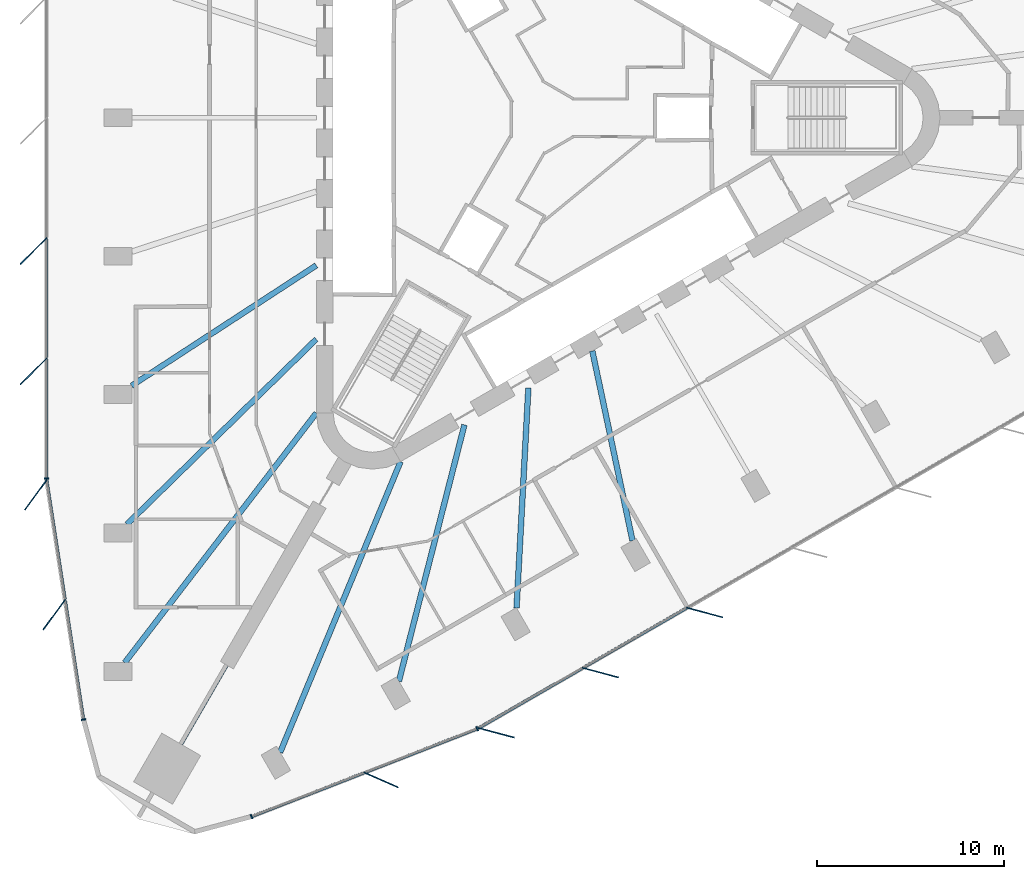
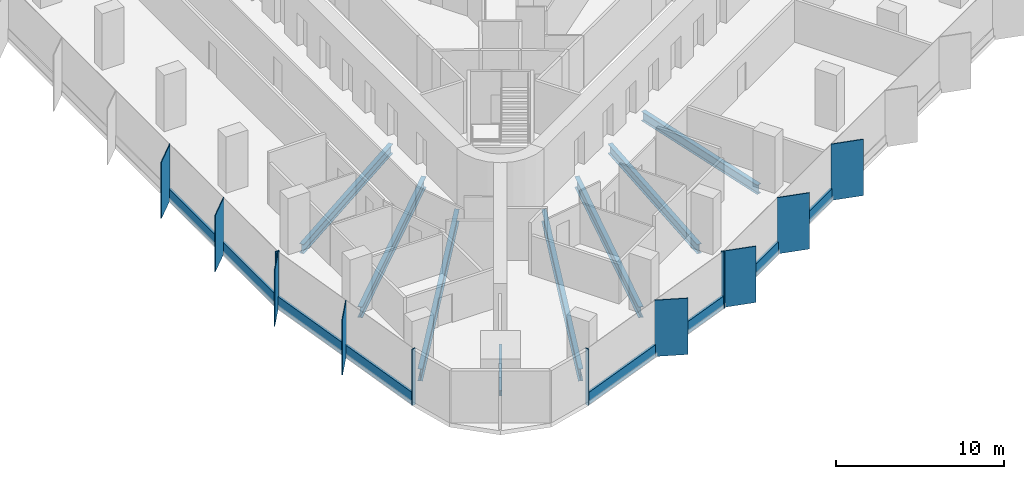
# One storey, part 2 of 15: 20 members, 8 beams, 4 elements without a shape of their own.
"""IFC4 building model written with IfcOpenShell, lengths in metres."""

from ifc_helpers import new_model, si_unit, direction, frame, origin, origin_2d, place, context, subcontext, project, spatial, rectangle, i_section, extrude, material, material_profile, profile_set, type_object, element, aggregate, save


model = new_model("IFC4")

# Units and contexts
model_context = context("Model", 3, precision=1e-05, world=origin(), true_north=direction((0.0, 1.0)))
body_context = subcontext(model_context, "Body", "Model", "MODEL_VIEW")
ifc_project = project(units=[si_unit("LENGTHUNIT", "METRE"), si_unit("AREAUNIT", "SQUARE_METRE"), si_unit("VOLUMEUNIT", "CUBIC_METRE"), si_unit("PLANEANGLEUNIT", "RADIAN"), si_unit("MASSUNIT", "GRAM", prefix="KILO")], contexts=[model_context])

# Site, building, storey
site_placement = place(None, origin())
site = spatial("IfcSite", under=ifc_project, at=site_placement, CompositionType="ELEMENT")
building_placement = place(site_placement, origin())
building = spatial("IfcBuilding", under=site, at=building_placement, Name="Tanit Gate Tower", CompositionType="ELEMENT")
storey_placement = place(building_placement, frame((0.0, 0.0, 135.699951171875)))
storey = spatial("IfcBuildingStorey", under=building, at=storey_placement, Name="L29", CompositionType="ELEMENT", Elevation=135.699951171875)

# Curtain wall, members
ifc_material_1 = material(Name="Aluminium bronze anodised and glass", Category="aluminium")
curtain_wall_type = type_object("IfcCurtainWallType", Name="Curtain wall typical low", PredefinedType="NOTDEFINED", material=ifc_material_1)
curtain_wall_1_placement = place(storey_placement, origin())
curtain_wall_1 = element("IfcCurtainWall", 1, at=curtain_wall_1_placement, inside=storey, type_object=curtain_wall_type, Name="Curtain wall L29 W2", PredefinedType="NOTDEFINED")
ifc_material_2 = material(Name="Aluminium bronze anodised", Category="aluminium")
ifc_material_profile_1 = material_profile(ifc_material_2, rectangle(XDim=2.0, YDim=0.055908203125, at=origin_2d()), Name="56x2000 bronze fin mullion")
ifc_profile_set_1 = profile_set([ifc_material_profile_1], Name="Aluminium bronze anodised")
member_type_1 = type_object("IfcMemberType", Name="FIN MULLION 56x2000 bronze", PredefinedType="MULLION", material=ifc_profile_set_1)
member_1_placement = place(storey_placement, frame((-27.19189453125, -7.11328125, -0.300048828125), z_axis=(0.0, 0.0, 1.0), x_axis=(0.707155809403, 0.707057749571, 0.0)))
member_1 = element("IfcMember", 2, at=member_1_placement, type_object=member_type_1, Name="Fin mullion L29 W2.5", PredefinedType="MULLION", context=body_context, shape_type="SweptSolid", body=[
    extrude(rectangle(XDim=2.0, YDim=0.055908203125, at=origin_2d()), origin(), (0.0, 0.0, 1.0), 4.10009765625),
])
member_2_placement = place(storey_placement, frame((-27.1923828125, -13.535400390625, -0.300048828125), z_axis=(0.0, 0.0, 1.0), x_axis=(0.707155809403, 0.707057749571, 0.0)))
member_2 = element("IfcMember", 3, at=member_2_placement, type_object=member_type_1, Name="Fin mullion L29 W2.6", PredefinedType="MULLION", context=body_context, shape_type="SweptSolid", body=[
    extrude(rectangle(XDim=2.0, YDim=0.055908203125, at=origin_2d()), origin(), (0.0, 0.0, 1.0), 4.10009765625),
])

curtain_wall_2_placement = place(storey_placement, origin())
curtain_wall_2 = element("IfcCurtainWall", 4, at=curtain_wall_2_placement, inside=storey, type_object=curtain_wall_type, Name="Curtain wall L29 W3", PredefinedType="NOTDEFINED")
member_3_placement = place(storey_placement, frame((-27.07373046875, -20.134033203125, -0.300048828125), z_axis=(0.0, 0.0, 1.0), x_axis=(0.591404079299, 0.806375356139, 0.0)))
member_3 = element("IfcMember", 5, at=member_3_placement, type_object=member_type_1, Name="Fin mullion L29 W3.1", PredefinedType="MULLION", context=body_context, shape_type="SweptSolid", body=[
    extrude(rectangle(XDim=2.0, YDim=0.055908203125, at=origin_2d()), origin(), (0.0, 0.0, 1.0), 4.10009765625),
])
member_4_placement = place(storey_placement, frame((-26.0908203125, -26.525390625, -0.300048828125), z_axis=(0.0, 0.0, 1.0), x_axis=(0.591404079299, 0.806375356139, 0.0)))
member_4 = element("IfcMember", 6, at=member_4_placement, type_object=member_type_1, Name="Fin mullion L29 W3.2", PredefinedType="MULLION", context=body_context, shape_type="SweptSolid", body=[
    extrude(rectangle(XDim=2.0, YDim=0.055908203125, at=origin_2d()), origin(), (0.0, 0.0, 1.0), 4.10009765625),
])

# Curtain wall, member
curtain_wall_3_placement = place(storey_placement, origin())
curtain_wall_3 = element("IfcCurtainWall", 7, at=curtain_wall_3_placement, inside=storey, type_object=curtain_wall_type, Name="Curtain wall L29 SE1", PredefinedType="NOTDEFINED")
member_5_placement = place(storey_placement, frame((-8.638671875, -35.35546875, -0.300048828125), z_axis=(0.0, 0.0, 1.0), x_axis=(-0.915440438595, 0.402453479778, 0.0)))
member_5 = element("IfcMember", 8, at=member_5_placement, type_object=member_type_1, Name="Fin mullion L29 SE1.2", PredefinedType="MULLION", context=body_context, shape_type="SweptSolid", body=[
    extrude(rectangle(XDim=2.0, YDim=0.055908203125, at=origin_2d()), origin(), (0.0, 0.0, 1.0), 4.10009765625),
])

# Curtain wall, members
curtain_wall_4_placement = place(storey_placement, origin())
curtain_wall_4 = element("IfcCurtainWall", 9, at=curtain_wall_4_placement, inside=storey, type_object=curtain_wall_type, Name="Curtain wall L29 SE2", PredefinedType="NOTDEFINED")
member_6_placement = place(storey_placement, frame((-2.49169921875, -32.835205078125, -0.300048828125), z_axis=(0.0, 0.0, 1.0), x_axis=(-0.965907877772, 0.258886020591, 0.0)))
member_6 = element("IfcMember", 10, at=member_6_placement, type_object=member_type_1, Name="Fin mullion L29 SE2.1", PredefinedType="MULLION", context=body_context, shape_type="SweptSolid", body=[
    extrude(rectangle(XDim=2.0, YDim=0.055908203125, at=origin_2d()), origin(), (0.0, 0.0, 1.0), 4.10009765625),
])
member_7_placement = place(storey_placement, frame((3.0703125, -29.62451171875, -0.300048828125), z_axis=(0.0, 0.0, 1.0), x_axis=(-0.965907877772, 0.258886020591, 0.0)))
member_7 = element("IfcMember", 11, at=member_7_placement, type_object=member_type_1, Name="Fin mullion L29 SE2.2", PredefinedType="MULLION", context=body_context, shape_type="SweptSolid", body=[
    extrude(rectangle(XDim=2.0, YDim=0.055908203125, at=origin_2d()), origin(), (0.0, 0.0, 1.0), 4.10009765625),
])
member_8_placement = place(storey_placement, frame((8.63232421875, -26.413818359375, -0.300048828125), z_axis=(0.0, 0.0, 1.0), x_axis=(-0.965907877772, 0.258886020591, 0.0)))
member_8 = element("IfcMember", 12, at=member_8_placement, type_object=member_type_1, Name="Fin mullion L29 SE2.3", PredefinedType="MULLION", context=body_context, shape_type="SweptSolid", body=[
    extrude(rectangle(XDim=2.0, YDim=0.055908203125, at=origin_2d()), origin(), (0.0, 0.0, 1.0), 4.10009765625),
])

# Member
ifc_material_3 = material(Name="Aluminium bronze anodised", Category="aluminium")
ifc_material_profile_2 = material_profile(ifc_material_3, rectangle(XDim=0.239990234375, YDim=0.080078125, at=origin_2d()), Name="80x240 bronze mullion")
ifc_profile_set_2 = profile_set([ifc_material_profile_2], Name="Aluminium bronze anodised")
member_type_2 = type_object("IfcMemberType", Name="Mullion 80x240 typical low", PredefinedType="MULLION", material=ifc_profile_set_2)
member_9_placement = place(storey_placement, frame((-26.501708984375, -19.2666015625, -0.300048828125), z_axis=(0.0, 0.0, 1.0), x_axis=(0.999999997596, -6.9338772e-05, 0.0)))
member_9 = element("IfcMember", 13, at=member_9_placement, type_object=member_type_2, Name="Mullion L29 W2.7", PredefinedType="MULLION", context=body_context, shape_type="SweptSolid", body=[
    extrude(rectangle(XDim=0.239990234375, YDim=0.080078125, at=origin_2d()), origin(), (0.0, 0.0, 1.0), 4.10009765625),
])

member_10_placement = place(storey_placement, frame((-24.52978515625, -32.12841796875, -0.300048828125), z_axis=(0.0, 0.0, 1.0), x_axis=(0.988379317401, 0.152007647614, 0.0)))
member_10 = element("IfcMember", 14, at=member_10_placement, type_object=member_type_2, Name="Mullion L29 W3.3", PredefinedType="MULLION", context=body_context, shape_type="SweptSolid", body=[
    extrude(rectangle(XDim=0.239990234375, YDim=0.080078125, at=origin_2d()), origin(), (0.0, 0.0, 1.0), 4.10009765625),
])

member_11_placement = place(storey_placement, frame((-15.559326171875, -37.3076171875, -0.300048828125), z_axis=(0.0, 0.0, 1.0), x_axis=(-0.36273655724, 0.931891726566, 0.0)))
member_11 = element("IfcMember", 15, at=member_11_placement, type_object=member_type_2, Name="Mullion L29 SE1.1", PredefinedType="MULLION", context=body_context, shape_type="SweptSolid", body=[
    extrude(rectangle(XDim=0.239990234375, YDim=0.080078125, at=origin_2d()), origin(), (0.0, 0.0, 1.0), 4.10009765625),
])

member_12_placement = place(storey_placement, frame((-3.507568359375, -32.61669921875, -0.300048828125), z_axis=(0.0, 0.0, 1.0), x_axis=(-0.36273655724, 0.931891726566, 0.0)))
member_12 = element("IfcMember", 16, at=member_12_placement, type_object=member_type_2, Name="Mullion L29 SE1.3", PredefinedType="MULLION", context=body_context, shape_type="SweptSolid", body=[
    extrude(rectangle(XDim=0.239990234375, YDim=0.080078125, at=origin_2d()), origin(), (0.0, 0.0, 1.0), 4.10009765625),
])

# Beams
ifc_material_4 = material(Name="Steel S355", Category="steel")
ifc_material_profile_3 = material_profile(ifc_material_4, i_section(OverallWidth=0.300048828125, OverallDepth=0.68994140625, WebThickness=0.014404296875, FlangeThickness=0.027099609375, FilletRadius=0.027099609375, at=origin_2d()), Name="HEA 700")
ifc_profile_set_3 = profile_set([ifc_material_profile_3], Name="Steel S355")
beam_type_1 = type_object("IfcBeamType", Name="RADIAL GIRDER HEA 700 S355", PredefinedType="BEAM", material=ifc_profile_set_3)
beam_1_placement = place(storey_placement, frame((-21.962158203125, -14.307861328125, -0.64501953125), z_axis=(0.837879591386, 0.54585510013, 0.0), x_axis=(-0.54585510013, 0.837879591386, 0.0)))
element("IfcBeam", 17, at=beam_1_placement, inside=storey, type_object=beam_type_1, Name="RADIAL GIRDER", PredefinedType="BEAM", context=body_context, shape_type="SweptSolid", body=[
    extrude(i_section(OverallWidth=0.300048828125, OverallDepth=0.68994140625, WebThickness=0.014404296875, FlangeThickness=0.027099609375, FilletRadius=0.027099609375, at=origin_2d()), origin(), (0.0, 0.0, 1.0), 11.767822265625),
])
beam_2_placement = place(storey_placement, frame((-1.409912109375, -26.173828125, -0.64501953125), z_axis=(0.053793562389, 0.998552078084, 0.0), x_axis=(-0.998552078084, 0.053793562389, 0.0)))
element("IfcBeam", 18, at=beam_2_placement, inside=storey, type_object=beam_type_1, Name="RADIAL GIRDER", PredefinedType="BEAM", context=body_context, shape_type="SweptSolid", body=[
    extrude(i_section(OverallWidth=0.300048828125, OverallDepth=0.68994140625, WebThickness=0.014404296875, FlangeThickness=0.027099609375, FilletRadius=0.027099609375, at=origin_2d()), origin(), (0.0, 0.0, 1.0), 11.768310546875),
])
beam_3_placement = place(storey_placement, frame((4.781005859375, -22.5751953125, -0.64501953125), z_axis=(-0.207169644951, 0.978305033316, 0.0), x_axis=(-0.978305033316, -0.207169644951, 0.0)))
element("IfcBeam", 19, at=beam_3_placement, inside=storey, type_object=beam_type_1, Name="RADIAL GIRDER", PredefinedType="BEAM", context=body_context, shape_type="SweptSolid", body=[
    extrude(i_section(OverallWidth=0.300048828125, OverallDepth=0.68994140625, WebThickness=0.014404296875, FlangeThickness=0.027099609375, FilletRadius=0.027099609375, at=origin_2d()), origin(), (0.0, 0.0, 1.0), 10.34814453125),
])
ifc_material_5 = material(Name="Steel S355", Category="steel")
ifc_material_profile_4 = material_profile(ifc_material_5, i_section(OverallWidth=0.300048828125, OverallDepth=0.7900390625, WebThickness=0.014892578125, FlangeThickness=0.028076171875, FilletRadius=0.030029296875, at=origin_2d()), Name="HEA 800")
ifc_profile_set_4 = profile_set([ifc_material_profile_4], Name="Steel S355")
beam_type_2 = type_object("IfcBeamType", Name="RADIAL GIRDER HEA 800 S355", PredefinedType="BEAM", material=ifc_profile_set_4)
beam_4_placement = place(storey_placement, frame((-22.205078125, -21.69921875, -0.695068359375), z_axis=(0.715208800213, 0.698910847031, 0.0), x_axis=(-0.698910847031, 0.715208800213, 0.0)))
element("IfcBeam", 20, at=beam_4_placement, inside=storey, type_object=beam_type_2, Name="RADIAL GIRDER", PredefinedType="BEAM", context=body_context, shape_type="SweptSolid", body=[
    extrude(i_section(OverallWidth=0.300048828125, OverallDepth=0.7900390625, WebThickness=0.014892578125, FlangeThickness=0.028076171875, FilletRadius=0.030029296875, at=origin_2d()), origin(), (0.0, 0.0, 1.0), 14.1259765625),
])
beam_5_placement = place(storey_placement, frame((-7.689697265625, -30.079833984375, -0.695068359375), z_axis=(0.247680464788, 0.968841776227, 0.0), x_axis=(-0.968841776227, 0.247680464788, 0.0)))
element("IfcBeam", 21, at=beam_5_placement, inside=storey, type_object=beam_type_2, Name="RADIAL GIRDER", PredefinedType="BEAM", context=body_context, shape_type="SweptSolid", body=[
    extrude(i_section(OverallWidth=0.300048828125, OverallDepth=0.7900390625, WebThickness=0.014892578125, FlangeThickness=0.028076171875, FilletRadius=0.030029296875, at=origin_2d()), origin(), (0.0, 0.0, 1.0), 14.126220703125),
])
ifc_material_6 = material(Name="Steel S355", Category="steel")
ifc_material_profile_5 = material_profile(ifc_material_6, i_section(OverallWidth=0.300048828125, OverallDepth=0.889892578125, WebThickness=0.01611328125, FlangeThickness=0.030029296875, FilletRadius=0.030029296875, at=origin_2d()), Name="HEA 900")
ifc_profile_set_5 = profile_set([ifc_material_profile_5], Name="Steel S355")
beam_type_3 = type_object("IfcBeamType", Name="RADIAL GIRDER HEA 900 S355", PredefinedType="BEAM", material=ifc_profile_set_5)
for number, where, z_axis, x_axis, name in (
    (22, (-22.32666015625, -29.0908203125, -0.744873046875), (0.60883155025, 0.793299529446, 0.0), (-0.793299529446, 0.60883155025, 0.0), "RADIAL GIRDER"),
    (23, (-14.030029296875, -33.880859375, -0.744873046875), (0.382589309945, 0.923918513677, 0.0), (-0.923918513677, 0.382589309945, 0.0), "RADIAL GIRDER"),
):
    element("IfcBeam", number, at=place(storey_placement, frame(where, z_axis=z_axis, x_axis=x_axis)), inside=storey, type_object=beam_type_3, Name=name, PredefinedType="BEAM", context=body_context, shape_type="SweptSolid", body=[
        extrude(i_section(OverallWidth=0.300048828125, OverallDepth=0.889892578125, WebThickness=0.01611328125, FlangeThickness=0.030029296875, FilletRadius=0.030029296875, at=origin_2d()), origin(), (0.0, 0.0, 1.0), 16.794921875),
    ])
ifc_material_7 = material(Name="Steel S355", Category="steel")
ifc_material_profile_6 = material_profile(ifc_material_7, i_section(OverallWidth=0.179931640625, OverallDepth=0.39990234375, WebThickness=0.008544921875, FlangeThickness=0.013427734375, FilletRadius=0.02099609375, at=origin_2d()), Name="IPE 400")
ifc_profile_set_6 = profile_set([ifc_material_profile_6], Name="Steel S355")
beam_type_4 = type_object("IfcBeamType", Name="RADIAL GIRDER IPE 400 S355", PredefinedType="BEAM", material=ifc_profile_set_6)
beam_6_placement = place(storey_placement, frame((-19.31396484375, -33.45263671875, -0.5), z_axis=(0.500002508028, 0.866023955769, 0.0), x_axis=(-0.866023955769, 0.500002508028, 0.0)))
element("IfcBeam", 24, at=beam_6_placement, inside=storey, type_object=beam_type_4, Name="RADIAL GIRDER", PredefinedType="BEAM", context=body_context, shape_type="SweptSolid", body=[
    extrude(i_section(OverallWidth=0.179931640625, OverallDepth=0.39990234375, WebThickness=0.008544921875, FlangeThickness=0.013427734375, FilletRadius=0.02099609375, at=origin_2d()), origin(), (0.0, 0.0, 1.0), 4.8798828125),
])

# Member
ifc_material_8 = material(Name="Aluminium bronze anodised", Category="aluminium")
ifc_material_profile_7 = material_profile(ifc_material_8, rectangle(XDim=0.159912109375, YDim=0.89990234375, at=origin_2d()), Name="160x900 bronze transom")
ifc_profile_set_7 = profile_set([ifc_material_profile_7], Name="Aluminium bronze anodised")
member_type_3 = type_object("IfcMemberType", Name="Transom 160x900 typical low", PredefinedType="USERDEFINED", material=ifc_profile_set_7)
member_13_placement = place(storey_placement, frame((-26.500732421875, -6.462158203125, 0.150146484375), z_axis=(-7.6991184e-05, -0.999999997036, 0.0), x_axis=(0.999999997036, -7.6991184e-05, 0.0)))
member_13 = element("IfcMember", 25, at=member_13_placement, type_object=member_type_3, Name="Transom L29 W2.5", ObjectType="TRANSOM", PredefinedType="USERDEFINED", context=body_context, shape_type="SweptSolid", body=[
    extrude(rectangle(XDim=0.159912109375, YDim=0.89990234375, at=origin_2d()), origin(), (0.0, 0.0, 1.0), 6.342041015625),
])

member_14_placement = place(storey_placement, frame((-26.501220703125, -12.88427734375, 0.150146484375), z_axis=(-7.6988221e-05, -0.999999997036, 0.0), x_axis=(0.999999997036, -7.6988221e-05, 0.0)))
member_14 = element("IfcMember", 26, at=member_14_placement, type_object=member_type_3, Name="Transom L29 W2.6", ObjectType="TRANSOM", PredefinedType="USERDEFINED", context=body_context, shape_type="SweptSolid", body=[
    extrude(rectangle(XDim=0.159912109375, YDim=0.89990234375, at=origin_2d()), origin(), (0.0, 0.0, 1.0), 6.34228515625),
])

aggregate(curtain_wall_1, [member_1, member_2, member_9, member_13, member_14])

member_15_placement = place(storey_placement, frame((-26.489501953125, -19.385498046875, 0.150146484375), z_axis=(0.151993986434, -0.988381418324, 0.0), x_axis=(0.988381418324, 0.151993986434, 0.0)))
member_15 = element("IfcMember", 27, at=member_15_placement, type_object=member_type_3, Name="Transom L29 W3.1", ObjectType="TRANSOM", PredefinedType="USERDEFINED", context=body_context, shape_type="SweptSolid", body=[
    extrude(rectangle(XDim=0.159912109375, YDim=0.89990234375, at=origin_2d()), origin(), (0.0, 0.0, 1.0), 6.386474609375),
])

member_16_placement = place(storey_placement, frame((-25.506591796875, -25.77685546875, 0.150146484375), z_axis=(0.151993986434, -0.988381418324, 0.0), x_axis=(0.988381418324, 0.151993986434, 0.0)))
member_16 = element("IfcMember", 28, at=member_16_placement, type_object=member_type_3, Name="Transom L29 W3.2", ObjectType="TRANSOM", PredefinedType="USERDEFINED", context=body_context, shape_type="SweptSolid", body=[
    extrude(rectangle(XDim=0.159912109375, YDim=0.89990234375, at=origin_2d()), origin(), (0.0, 0.0, 1.0), 6.386474609375),
])

aggregate(curtain_wall_2, [member_3, member_4, member_10, member_15, member_16])

member_17_placement = place(storey_placement, frame((-15.52197265625, -37.293212890625, 0.150146484375), z_axis=(0.931882653297, 0.362759866144, 0.0), x_axis=(-0.362759866144, 0.931882653297, 0.0)))
member_17 = element("IfcMember", 29, at=member_17_placement, type_object=member_type_3, Name="Transom L29 SE1.1", ObjectType="TRANSOM", PredefinedType="USERDEFINED", context=body_context, shape_type="SweptSolid", body=[
    extrude(rectangle(XDim=0.159912109375, YDim=0.89990234375, at=origin_2d()), origin(), (0.0, 0.0, 1.0), 6.38623046875),
])

member_18_placement = place(storey_placement, frame((-9.49609375, -34.947509765625, 0.150146484375), z_axis=(0.931895576358, 0.362726666741, 0.0), x_axis=(-0.362726666741, 0.931895576358, 0.0)))
member_18 = element("IfcMember", 30, at=member_18_placement, type_object=member_type_3, Name="Transom L29 SE1.2", ObjectType="TRANSOM", PredefinedType="USERDEFINED", context=body_context, shape_type="SweptSolid", body=[
    extrude(rectangle(XDim=0.159912109375, YDim=0.89990234375, at=origin_2d()), origin(), (0.0, 0.0, 1.0), 6.385986328125),
])

aggregate(curtain_wall_3, [member_11, member_5, member_12, member_17, member_18])

member_19_placement = place(storey_placement, frame((-3.401123046875, -32.56201171875, 0.150146484375), z_axis=(0.866062512225, 0.499935720787, 0.0), x_axis=(-0.499935720787, 0.866062512225, 0.0)))
member_19 = element("IfcMember", 31, at=member_19_placement, type_object=member_type_3, Name="Transom L29 SE2.1", ObjectType="TRANSOM", PredefinedType="USERDEFINED", context=body_context, shape_type="SweptSolid", body=[
    extrude(rectangle(XDim=0.159912109375, YDim=0.89990234375, at=origin_2d()), origin(), (0.0, 0.0, 1.0), 6.342041015625),
])

member_20_placement = place(storey_placement, frame((2.160888671875, -29.351318359375, 0.150146484375), z_axis=(0.866062512225, 0.499935720787, 0.0), x_axis=(-0.499935720787, 0.866062512225, 0.0)))
member_20 = element("IfcMember", 32, at=member_20_placement, type_object=member_type_3, Name="Transom L29 SE2.2", ObjectType="TRANSOM", PredefinedType="USERDEFINED", context=body_context, shape_type="SweptSolid", body=[
    extrude(rectangle(XDim=0.159912109375, YDim=0.89990234375, at=origin_2d()), origin(), (0.0, 0.0, 1.0), 6.342041015625),
])

aggregate(curtain_wall_4, [member_6, member_7, member_8, member_19, member_20])

save(model, "model.ifc")
